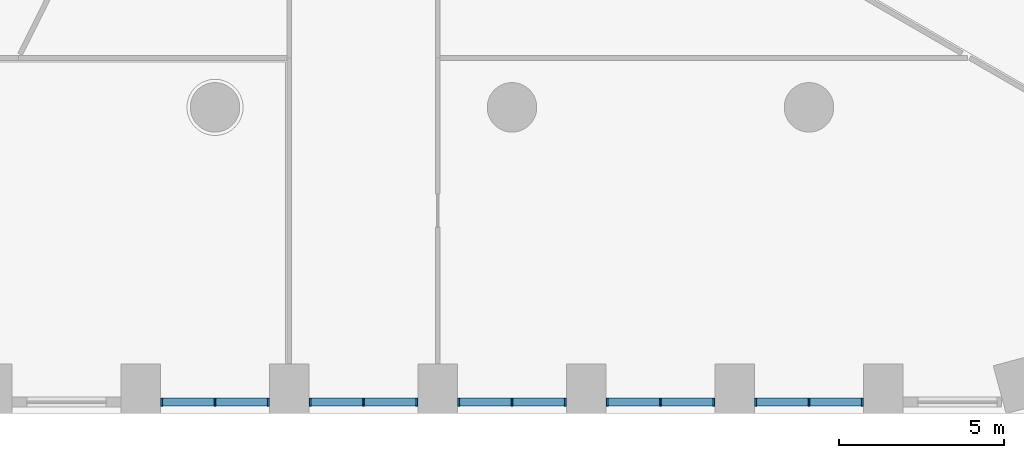
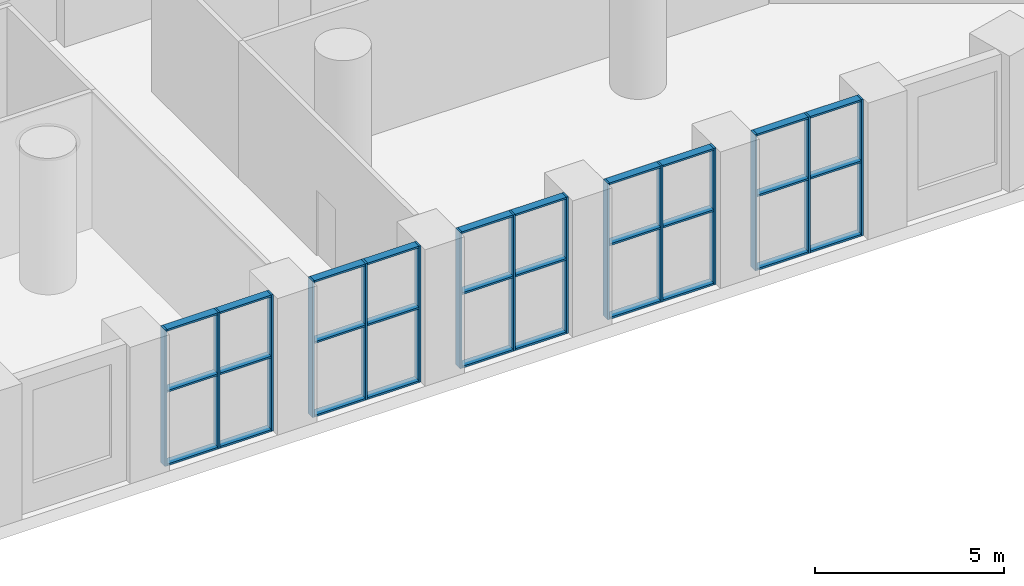
# One storey, part 2 of 21: 45 members, 5 elements without a shape of their own.
"""IFC4 building model written with IfcOpenShell, lengths in metres."""

from ifc_helpers import new_model, si_unit, direction, frame, origin, origin_2d, place, context, subcontext, project, spatial, rectangle, extrude, material, layer, layer_set, material_profile, profile_set, type_object, element, aggregate, save


model = new_model("IFC4")

# Units and contexts
model_context = context("Model", 3, precision=1e-05, world=origin(), true_north=direction((0.0, 1.0)))
body_context = subcontext(model_context, "Body", "Model", "MODEL_VIEW")
ifc_project = project(units=[si_unit("LENGTHUNIT", "METRE"), si_unit("AREAUNIT", "SQUARE_METRE"), si_unit("VOLUMEUNIT", "CUBIC_METRE"), si_unit("PLANEANGLEUNIT", "RADIAN"), si_unit("MASSUNIT", "GRAM", prefix="KILO")], contexts=[model_context])

# Site, building, storey
site_placement = place(None, origin())
site = spatial("IfcSite", under=ifc_project, at=site_placement, CompositionType="ELEMENT")
building_placement = place(site_placement, origin())
building = spatial("IfcBuilding", under=site, at=building_placement, Name="Dhurran Vertical Campus", CompositionType="ELEMENT")
storey_placement = place(building_placement, frame((0.0, 0.0, 20.39990234375)))
storey = spatial("IfcBuildingStorey", under=building, at=storey_placement, Name="L04", CompositionType="ELEMENT", Elevation=20.39990234375)

# Curtain wall, members
ifc_material_1 = material(Name="Aluminium frame with solar-control glass", Category="aluminium")
ifc_layer = layer(ifc_material_1, 0.25)
ifc_layer_set = layer_set([ifc_layer], Name="Aluminium frame with solar-control glass")
curtain_wall_type = type_object("IfcCurtainWallType", Name="Library atrium glazing system", PredefinedType="NOTDEFINED", material=ifc_layer_set)
curtain_wall_1_placement = place(storey_placement, origin())
curtain_wall_1 = element("IfcCurtainWall", 1, at=curtain_wall_1_placement, inside=storey, type_object=curtain_wall_type, Name="CW2 L04.03", PredefinedType="NOTDEFINED")
ifc_material_2 = material(Name="Aluminium mullion", Category="aluminium")
ifc_material_profile_1 = material_profile(ifc_material_2, rectangle(XDim=0.239990234375, YDim=0.06005859375, at=origin_2d()), Name="Library atrium glazing system mullion")
ifc_profile_set_1 = profile_set([ifc_material_profile_1], Name="Aluminium mullion")
member_type_1 = type_object("IfcMemberType", Name="Library atrium glazing system mullion", PredefinedType="MULLION", material=ifc_profile_set_1)
member_1_placement = place(storey_placement, frame((-6.119384765625, -31.4296875, 0.0), z_axis=(0.0, 0.0, 1.0), x_axis=(0.0, 1.0, 0.0)))
member_1 = element("IfcMember", 2, at=member_1_placement, type_object=member_type_1, Name="CW2 mullion 1", PredefinedType="MULLION", context=body_context, shape_type="SweptSolid", body=[
    extrude(rectangle(XDim=0.239990234375, YDim=0.06005859375, at=origin_2d()), origin(), (0.0, 0.0, 1.0), 4.400146484375),
])
member_2_placement = place(storey_placement, frame((-4.5, -31.4296875, 0.0), z_axis=(0.0, 0.0, 1.0), x_axis=(0.0, 1.0, 0.0)))
member_2 = element("IfcMember", 3, at=member_2_placement, type_object=member_type_1, Name="CW2 mullion 2", PredefinedType="MULLION", context=body_context, shape_type="SweptSolid", body=[
    extrude(rectangle(XDim=0.239990234375, YDim=0.06005859375, at=origin_2d()), origin(), (0.0, 0.0, 1.0), 4.400146484375),
])
member_3_placement = place(storey_placement, frame((-2.880615234375, -31.4296875, 0.0), z_axis=(0.0, 0.0, 1.0), x_axis=(0.0, 1.0, 0.0)))
member_3 = element("IfcMember", 4, at=member_3_placement, type_object=member_type_1, Name="CW2 mullion 3", PredefinedType="MULLION", context=body_context, shape_type="SweptSolid", body=[
    extrude(rectangle(XDim=0.239990234375, YDim=0.06005859375, at=origin_2d()), origin(), (0.0, 0.0, 1.0), 4.400146484375),
])

curtain_wall_2_placement = place(storey_placement, origin())
curtain_wall_2 = element("IfcCurtainWall", 5, at=curtain_wall_2_placement, inside=storey, type_object=curtain_wall_type, Name="CW2 L04.04", PredefinedType="NOTDEFINED")
member_4_placement = place(storey_placement, frame((-1.619384765625, -31.4296875, 0.0), z_axis=(0.0, 0.0, 1.0), x_axis=(0.0, 1.0, 0.0)))
member_4 = element("IfcMember", 6, at=member_4_placement, type_object=member_type_1, Name="CW2 mullion 1", PredefinedType="MULLION", context=body_context, shape_type="SweptSolid", body=[
    extrude(rectangle(XDim=0.239990234375, YDim=0.06005859375, at=origin_2d()), origin(), (0.0, 0.0, 1.0), 4.400146484375),
])
member_5_placement = place(storey_placement, frame((0.0, -31.4296875, 0.0), z_axis=(0.0, 0.0, 1.0), x_axis=(0.0, 1.0, 0.0)))
member_5 = element("IfcMember", 7, at=member_5_placement, type_object=member_type_1, Name="CW2 mullion 2", PredefinedType="MULLION", context=body_context, shape_type="SweptSolid", body=[
    extrude(rectangle(XDim=0.239990234375, YDim=0.06005859375, at=origin_2d()), origin(), (0.0, 0.0, 1.0), 4.400146484375),
])
member_6_placement = place(storey_placement, frame((1.619384765625, -31.4296875, 0.0), z_axis=(0.0, 0.0, 1.0), x_axis=(0.0, 1.0, 0.0)))
member_6 = element("IfcMember", 8, at=member_6_placement, type_object=member_type_1, Name="CW2 mullion 3", PredefinedType="MULLION", context=body_context, shape_type="SweptSolid", body=[
    extrude(rectangle(XDim=0.239990234375, YDim=0.06005859375, at=origin_2d()), origin(), (0.0, 0.0, 1.0), 4.400146484375),
])

curtain_wall_3_placement = place(storey_placement, origin())
curtain_wall_3 = element("IfcCurtainWall", 9, at=curtain_wall_3_placement, inside=storey, type_object=curtain_wall_type, Name="CW2 L04.05", PredefinedType="NOTDEFINED")
member_7_placement = place(storey_placement, frame((2.880615234375, -31.4296875, 0.0), z_axis=(0.0, 0.0, 1.0), x_axis=(0.0, 1.0, 0.0)))
member_7 = element("IfcMember", 10, at=member_7_placement, type_object=member_type_1, Name="CW2 mullion 1", PredefinedType="MULLION", context=body_context, shape_type="SweptSolid", body=[
    extrude(rectangle(XDim=0.239990234375, YDim=0.06005859375, at=origin_2d()), origin(), (0.0, 0.0, 1.0), 4.400146484375),
])
member_8_placement = place(storey_placement, frame((4.5, -31.4296875, 0.0), z_axis=(0.0, 0.0, 1.0), x_axis=(0.0, 1.0, 0.0)))
member_8 = element("IfcMember", 11, at=member_8_placement, type_object=member_type_1, Name="CW2 mullion 2", PredefinedType="MULLION", context=body_context, shape_type="SweptSolid", body=[
    extrude(rectangle(XDim=0.239990234375, YDim=0.06005859375, at=origin_2d()), origin(), (0.0, 0.0, 1.0), 4.400146484375),
])
member_9_placement = place(storey_placement, frame((6.119384765625, -31.4296875, 0.0), z_axis=(0.0, 0.0, 1.0), x_axis=(0.0, 1.0, 0.0)))
member_9 = element("IfcMember", 12, at=member_9_placement, type_object=member_type_1, Name="CW2 mullion 3", PredefinedType="MULLION", context=body_context, shape_type="SweptSolid", body=[
    extrude(rectangle(XDim=0.239990234375, YDim=0.06005859375, at=origin_2d()), origin(), (0.0, 0.0, 1.0), 4.400146484375),
])

curtain_wall_4_placement = place(storey_placement, origin())
curtain_wall_4 = element("IfcCurtainWall", 13, at=curtain_wall_4_placement, inside=storey, type_object=curtain_wall_type, Name="CW2 L04.06", PredefinedType="NOTDEFINED")
member_10_placement = place(storey_placement, frame((7.380615234375, -31.4296875, 0.0), z_axis=(0.0, 0.0, 1.0), x_axis=(0.0, 1.0, 0.0)))
member_10 = element("IfcMember", 14, at=member_10_placement, type_object=member_type_1, Name="CW2 mullion 1", PredefinedType="MULLION", context=body_context, shape_type="SweptSolid", body=[
    extrude(rectangle(XDim=0.239990234375, YDim=0.06005859375, at=origin_2d()), origin(), (0.0, 0.0, 1.0), 4.400146484375),
])
member_11_placement = place(storey_placement, frame((9.0, -31.4296875, 0.0), z_axis=(0.0, 0.0, 1.0), x_axis=(0.0, 1.0, 0.0)))
member_11 = element("IfcMember", 15, at=member_11_placement, type_object=member_type_1, Name="CW2 mullion 2", PredefinedType="MULLION", context=body_context, shape_type="SweptSolid", body=[
    extrude(rectangle(XDim=0.239990234375, YDim=0.06005859375, at=origin_2d()), origin(), (0.0, 0.0, 1.0), 4.400146484375),
])
member_12_placement = place(storey_placement, frame((10.619384765625, -31.4296875, 0.0), z_axis=(0.0, 0.0, 1.0), x_axis=(0.0, 1.0, 0.0)))
member_12 = element("IfcMember", 16, at=member_12_placement, type_object=member_type_1, Name="CW2 mullion 3", PredefinedType="MULLION", context=body_context, shape_type="SweptSolid", body=[
    extrude(rectangle(XDim=0.239990234375, YDim=0.06005859375, at=origin_2d()), origin(), (0.0, 0.0, 1.0), 4.400146484375),
])

curtain_wall_5_placement = place(storey_placement, origin())
curtain_wall_5 = element("IfcCurtainWall", 17, at=curtain_wall_5_placement, inside=storey, type_object=curtain_wall_type, Name="CW2 L04.07", PredefinedType="NOTDEFINED")
member_13_placement = place(storey_placement, frame((11.880615234375, -31.4296875, 0.0), z_axis=(0.0, 0.0, 1.0), x_axis=(0.0, 1.0, 0.0)))
member_13 = element("IfcMember", 18, at=member_13_placement, type_object=member_type_1, Name="CW2 mullion 1", PredefinedType="MULLION", context=body_context, shape_type="SweptSolid", body=[
    extrude(rectangle(XDim=0.239990234375, YDim=0.06005859375, at=origin_2d()), origin(), (0.0, 0.0, 1.0), 4.400146484375),
])
member_14_placement = place(storey_placement, frame((13.5, -31.4296875, 0.0), z_axis=(0.0, 0.0, 1.0), x_axis=(0.0, 1.0, 0.0)))
member_14 = element("IfcMember", 19, at=member_14_placement, type_object=member_type_1, Name="CW2 mullion 2", PredefinedType="MULLION", context=body_context, shape_type="SweptSolid", body=[
    extrude(rectangle(XDim=0.239990234375, YDim=0.06005859375, at=origin_2d()), origin(), (0.0, 0.0, 1.0), 4.400146484375),
])
member_15_placement = place(storey_placement, frame((15.119384765625, -31.4296875, 0.0), z_axis=(0.0, 0.0, 1.0), x_axis=(0.0, 1.0, 0.0)))
member_15 = element("IfcMember", 20, at=member_15_placement, type_object=member_type_1, Name="CW2 mullion 3", PredefinedType="MULLION", context=body_context, shape_type="SweptSolid", body=[
    extrude(rectangle(XDim=0.239990234375, YDim=0.06005859375, at=origin_2d()), origin(), (0.0, 0.0, 1.0), 4.400146484375),
])

# Member
ifc_material_3 = material(Name="Aluminium transom", Category="aluminium")
ifc_material_profile_2 = material_profile(ifc_material_3, rectangle(XDim=0.239990234375, YDim=0.06005859375, at=origin_2d()), Name="Library atrium glazing system transom")
ifc_profile_set_2 = profile_set([ifc_material_profile_2], Name="Aluminium transom")
member_type_2 = type_object("IfcMemberType", Name="Library atrium glazing system transom", PredefinedType="USERDEFINED", material=ifc_profile_set_2)
member_16_placement = place(storey_placement, frame((-6.089599609375, -31.4296875, 0.030029296875), z_axis=(1.0, 0.0, 0.0), x_axis=(0.0, 1.0, 0.0)))
member_16 = element("IfcMember", 21, at=member_16_placement, type_object=member_type_2, Name="CW2 transom 1.1", ObjectType="TRANSOM", PredefinedType="USERDEFINED", context=body_context, shape_type="SweptSolid", body=[
    extrude(rectangle(XDim=0.239990234375, YDim=0.06005859375, at=origin_2d()), origin(), (0.0, 0.0, 1.0), 1.5595703125),
])

member_17_placement = place(storey_placement, frame((-6.089599609375, -31.4296875, 2.400146484375), z_axis=(1.0, 0.0, 0.0), x_axis=(0.0, 1.0, 0.0)))
member_17 = element("IfcMember", 22, at=member_17_placement, type_object=member_type_2, Name="CW2 transom 1.2", ObjectType="TRANSOM", PredefinedType="USERDEFINED", context=body_context, shape_type="SweptSolid", body=[
    extrude(rectangle(XDim=0.239990234375, YDim=0.06005859375, at=origin_2d()), origin(), (0.0, 0.0, 1.0), 1.5595703125),
])

member_18_placement = place(storey_placement, frame((-6.089599609375, -31.4296875, 4.3701171875), z_axis=(1.0, 0.0, 0.0), x_axis=(0.0, 1.0, 0.0)))
member_18 = element("IfcMember", 23, at=member_18_placement, type_object=member_type_2, Name="CW2 transom 1.3", ObjectType="TRANSOM", PredefinedType="USERDEFINED", context=body_context, shape_type="SweptSolid", body=[
    extrude(rectangle(XDim=0.239990234375, YDim=0.06005859375, at=origin_2d()), origin(), (0.0, 0.0, 1.0), 1.5595703125),
])

member_19_placement = place(storey_placement, frame((-4.469970703125, -31.4296875, 0.030029296875), z_axis=(1.0, 0.0, 0.0), x_axis=(0.0, 1.0, 0.0)))
member_19 = element("IfcMember", 24, at=member_19_placement, type_object=member_type_2, Name="CW2 transom 2.1", ObjectType="TRANSOM", PredefinedType="USERDEFINED", context=body_context, shape_type="SweptSolid", body=[
    extrude(rectangle(XDim=0.239990234375, YDim=0.06005859375, at=origin_2d()), origin(), (0.0, 0.0, 1.0), 1.5595703125),
])

member_20_placement = place(storey_placement, frame((-4.469970703125, -31.4296875, 2.400146484375), z_axis=(1.0, 0.0, 0.0), x_axis=(0.0, 1.0, 0.0)))
member_20 = element("IfcMember", 25, at=member_20_placement, type_object=member_type_2, Name="CW2 transom 2.2", ObjectType="TRANSOM", PredefinedType="USERDEFINED", context=body_context, shape_type="SweptSolid", body=[
    extrude(rectangle(XDim=0.239990234375, YDim=0.06005859375, at=origin_2d()), origin(), (0.0, 0.0, 1.0), 1.5595703125),
])

member_21_placement = place(storey_placement, frame((-4.469970703125, -31.4296875, 4.3701171875), z_axis=(1.0, 0.0, 0.0), x_axis=(0.0, 1.0, 0.0)))
member_21 = element("IfcMember", 26, at=member_21_placement, type_object=member_type_2, Name="CW2 transom 2.3", ObjectType="TRANSOM", PredefinedType="USERDEFINED", context=body_context, shape_type="SweptSolid", body=[
    extrude(rectangle(XDim=0.239990234375, YDim=0.06005859375, at=origin_2d()), origin(), (0.0, 0.0, 1.0), 1.5595703125),
])

aggregate(curtain_wall_1, [member_1, member_2, member_3, member_16, member_17, member_18, member_19, member_20, member_21])

member_22_placement = place(storey_placement, frame((-1.589599609375, -31.4296875, 0.030029296875), z_axis=(1.0, 0.0, 0.0), x_axis=(0.0, 1.0, 0.0)))
member_22 = element("IfcMember", 27, at=member_22_placement, type_object=member_type_2, Name="CW2 transom 1.1", ObjectType="TRANSOM", PredefinedType="USERDEFINED", context=body_context, shape_type="SweptSolid", body=[
    extrude(rectangle(XDim=0.239990234375, YDim=0.06005859375, at=origin_2d()), origin(), (0.0, 0.0, 1.0), 1.5595703125),
])

member_23_placement = place(storey_placement, frame((-1.589599609375, -31.4296875, 2.400146484375), z_axis=(1.0, 0.0, 0.0), x_axis=(0.0, 1.0, 0.0)))
member_23 = element("IfcMember", 28, at=member_23_placement, type_object=member_type_2, Name="CW2 transom 1.2", ObjectType="TRANSOM", PredefinedType="USERDEFINED", context=body_context, shape_type="SweptSolid", body=[
    extrude(rectangle(XDim=0.239990234375, YDim=0.06005859375, at=origin_2d()), origin(), (0.0, 0.0, 1.0), 1.5595703125),
])

member_24_placement = place(storey_placement, frame((-1.589599609375, -31.4296875, 4.3701171875), z_axis=(1.0, 0.0, 0.0), x_axis=(0.0, 1.0, 0.0)))
member_24 = element("IfcMember", 29, at=member_24_placement, type_object=member_type_2, Name="CW2 transom 1.3", ObjectType="TRANSOM", PredefinedType="USERDEFINED", context=body_context, shape_type="SweptSolid", body=[
    extrude(rectangle(XDim=0.239990234375, YDim=0.06005859375, at=origin_2d()), origin(), (0.0, 0.0, 1.0), 1.5595703125),
])

member_25_placement = place(storey_placement, frame((0.030029296875, -31.4296875, 0.030029296875), z_axis=(1.0, 0.0, 0.0), x_axis=(0.0, 1.0, 0.0)))
member_25 = element("IfcMember", 30, at=member_25_placement, type_object=member_type_2, Name="CW2 transom 2.1", ObjectType="TRANSOM", PredefinedType="USERDEFINED", context=body_context, shape_type="SweptSolid", body=[
    extrude(rectangle(XDim=0.239990234375, YDim=0.06005859375, at=origin_2d()), origin(), (0.0, 0.0, 1.0), 1.5595703125),
])

member_26_placement = place(storey_placement, frame((0.030029296875, -31.4296875, 2.400146484375), z_axis=(1.0, 0.0, 0.0), x_axis=(0.0, 1.0, 0.0)))
member_26 = element("IfcMember", 31, at=member_26_placement, type_object=member_type_2, Name="CW2 transom 2.2", ObjectType="TRANSOM", PredefinedType="USERDEFINED", context=body_context, shape_type="SweptSolid", body=[
    extrude(rectangle(XDim=0.239990234375, YDim=0.06005859375, at=origin_2d()), origin(), (0.0, 0.0, 1.0), 1.5595703125),
])

member_27_placement = place(storey_placement, frame((0.030029296875, -31.4296875, 4.3701171875), z_axis=(1.0, 0.0, 0.0), x_axis=(0.0, 1.0, 0.0)))
member_27 = element("IfcMember", 32, at=member_27_placement, type_object=member_type_2, Name="CW2 transom 2.3", ObjectType="TRANSOM", PredefinedType="USERDEFINED", context=body_context, shape_type="SweptSolid", body=[
    extrude(rectangle(XDim=0.239990234375, YDim=0.06005859375, at=origin_2d()), origin(), (0.0, 0.0, 1.0), 1.5595703125),
])

aggregate(curtain_wall_2, [member_4, member_5, member_6, member_22, member_23, member_24, member_25, member_26, member_27])

member_28_placement = place(storey_placement, frame((2.910400390625, -31.4296875, 0.030029296875), z_axis=(1.0, 0.0, 0.0), x_axis=(0.0, 1.0, 0.0)))
member_28 = element("IfcMember", 33, at=member_28_placement, type_object=member_type_2, Name="CW2 transom 1.1", ObjectType="TRANSOM", PredefinedType="USERDEFINED", context=body_context, shape_type="SweptSolid", body=[
    extrude(rectangle(XDim=0.239990234375, YDim=0.06005859375, at=origin_2d()), origin(), (0.0, 0.0, 1.0), 1.5595703125),
])

member_29_placement = place(storey_placement, frame((2.910400390625, -31.4296875, 2.400146484375), z_axis=(1.0, 0.0, 0.0), x_axis=(0.0, 1.0, 0.0)))
member_29 = element("IfcMember", 34, at=member_29_placement, type_object=member_type_2, Name="CW2 transom 1.2", ObjectType="TRANSOM", PredefinedType="USERDEFINED", context=body_context, shape_type="SweptSolid", body=[
    extrude(rectangle(XDim=0.239990234375, YDim=0.06005859375, at=origin_2d()), origin(), (0.0, 0.0, 1.0), 1.5595703125),
])

member_30_placement = place(storey_placement, frame((2.910400390625, -31.4296875, 4.3701171875), z_axis=(1.0, 0.0, 0.0), x_axis=(0.0, 1.0, 0.0)))
member_30 = element("IfcMember", 35, at=member_30_placement, type_object=member_type_2, Name="CW2 transom 1.3", ObjectType="TRANSOM", PredefinedType="USERDEFINED", context=body_context, shape_type="SweptSolid", body=[
    extrude(rectangle(XDim=0.239990234375, YDim=0.06005859375, at=origin_2d()), origin(), (0.0, 0.0, 1.0), 1.5595703125),
])

member_31_placement = place(storey_placement, frame((4.530029296875, -31.4296875, 0.030029296875), z_axis=(1.0, 0.0, 0.0), x_axis=(0.0, 1.0, 0.0)))
member_31 = element("IfcMember", 36, at=member_31_placement, type_object=member_type_2, Name="CW2 transom 2.1", ObjectType="TRANSOM", PredefinedType="USERDEFINED", context=body_context, shape_type="SweptSolid", body=[
    extrude(rectangle(XDim=0.239990234375, YDim=0.06005859375, at=origin_2d()), origin(), (0.0, 0.0, 1.0), 1.5595703125),
])

member_32_placement = place(storey_placement, frame((4.530029296875, -31.4296875, 2.400146484375), z_axis=(1.0, 0.0, 0.0), x_axis=(0.0, 1.0, 0.0)))
member_32 = element("IfcMember", 37, at=member_32_placement, type_object=member_type_2, Name="CW2 transom 2.2", ObjectType="TRANSOM", PredefinedType="USERDEFINED", context=body_context, shape_type="SweptSolid", body=[
    extrude(rectangle(XDim=0.239990234375, YDim=0.06005859375, at=origin_2d()), origin(), (0.0, 0.0, 1.0), 1.5595703125),
])

member_33_placement = place(storey_placement, frame((4.530029296875, -31.4296875, 4.3701171875), z_axis=(1.0, 0.0, 0.0), x_axis=(0.0, 1.0, 0.0)))
member_33 = element("IfcMember", 38, at=member_33_placement, type_object=member_type_2, Name="CW2 transom 2.3", ObjectType="TRANSOM", PredefinedType="USERDEFINED", context=body_context, shape_type="SweptSolid", body=[
    extrude(rectangle(XDim=0.239990234375, YDim=0.06005859375, at=origin_2d()), origin(), (0.0, 0.0, 1.0), 1.5595703125),
])

aggregate(curtain_wall_3, [member_7, member_8, member_9, member_28, member_29, member_30, member_31, member_32, member_33])

member_34_placement = place(storey_placement, frame((7.410400390625, -31.4296875, 0.030029296875), z_axis=(1.0, 0.0, 0.0), x_axis=(0.0, 1.0, 0.0)))
member_34 = element("IfcMember", 39, at=member_34_placement, type_object=member_type_2, Name="CW2 transom 1.1", ObjectType="TRANSOM", PredefinedType="USERDEFINED", context=body_context, shape_type="SweptSolid", body=[
    extrude(rectangle(XDim=0.239990234375, YDim=0.06005859375, at=origin_2d()), origin(), (0.0, 0.0, 1.0), 1.5595703125),
])

member_35_placement = place(storey_placement, frame((7.410400390625, -31.4296875, 2.400146484375), z_axis=(1.0, 0.0, 0.0), x_axis=(0.0, 1.0, 0.0)))
member_35 = element("IfcMember", 40, at=member_35_placement, type_object=member_type_2, Name="CW2 transom 1.2", ObjectType="TRANSOM", PredefinedType="USERDEFINED", context=body_context, shape_type="SweptSolid", body=[
    extrude(rectangle(XDim=0.239990234375, YDim=0.06005859375, at=origin_2d()), origin(), (0.0, 0.0, 1.0), 1.5595703125),
])

member_36_placement = place(storey_placement, frame((7.410400390625, -31.4296875, 4.3701171875), z_axis=(1.0, 0.0, 0.0), x_axis=(0.0, 1.0, 0.0)))
member_36 = element("IfcMember", 41, at=member_36_placement, type_object=member_type_2, Name="CW2 transom 1.3", ObjectType="TRANSOM", PredefinedType="USERDEFINED", context=body_context, shape_type="SweptSolid", body=[
    extrude(rectangle(XDim=0.239990234375, YDim=0.06005859375, at=origin_2d()), origin(), (0.0, 0.0, 1.0), 1.5595703125),
])

member_37_placement = place(storey_placement, frame((9.030029296875, -31.4296875, 0.030029296875), z_axis=(1.0, 0.0, 0.0), x_axis=(0.0, 1.0, 0.0)))
member_37 = element("IfcMember", 42, at=member_37_placement, type_object=member_type_2, Name="CW2 transom 2.1", ObjectType="TRANSOM", PredefinedType="USERDEFINED", context=body_context, shape_type="SweptSolid", body=[
    extrude(rectangle(XDim=0.239990234375, YDim=0.06005859375, at=origin_2d()), origin(), (0.0, 0.0, 1.0), 1.5595703125),
])

member_38_placement = place(storey_placement, frame((9.030029296875, -31.4296875, 2.400146484375), z_axis=(1.0, 0.0, 0.0), x_axis=(0.0, 1.0, 0.0)))
member_38 = element("IfcMember", 43, at=member_38_placement, type_object=member_type_2, Name="CW2 transom 2.2", ObjectType="TRANSOM", PredefinedType="USERDEFINED", context=body_context, shape_type="SweptSolid", body=[
    extrude(rectangle(XDim=0.239990234375, YDim=0.06005859375, at=origin_2d()), origin(), (0.0, 0.0, 1.0), 1.5595703125),
])

member_39_placement = place(storey_placement, frame((9.030029296875, -31.4296875, 4.3701171875), z_axis=(1.0, 0.0, 0.0), x_axis=(0.0, 1.0, 0.0)))
member_39 = element("IfcMember", 44, at=member_39_placement, type_object=member_type_2, Name="CW2 transom 2.3", ObjectType="TRANSOM", PredefinedType="USERDEFINED", context=body_context, shape_type="SweptSolid", body=[
    extrude(rectangle(XDim=0.239990234375, YDim=0.06005859375, at=origin_2d()), origin(), (0.0, 0.0, 1.0), 1.5595703125),
])

aggregate(curtain_wall_4, [member_10, member_11, member_12, member_34, member_35, member_36, member_37, member_38, member_39])

member_40_placement = place(storey_placement, frame((11.910400390625, -31.4296875, 0.030029296875), z_axis=(1.0, 0.0, 0.0), x_axis=(0.0, 1.0, 0.0)))
member_40 = element("IfcMember", 45, at=member_40_placement, type_object=member_type_2, Name="CW2 transom 1.1", ObjectType="TRANSOM", PredefinedType="USERDEFINED", context=body_context, shape_type="SweptSolid", body=[
    extrude(rectangle(XDim=0.239990234375, YDim=0.06005859375, at=origin_2d()), origin(), (0.0, 0.0, 1.0), 1.5595703125),
])

member_41_placement = place(storey_placement, frame((11.910400390625, -31.4296875, 2.400146484375), z_axis=(1.0, 0.0, 0.0), x_axis=(0.0, 1.0, 0.0)))
member_41 = element("IfcMember", 46, at=member_41_placement, type_object=member_type_2, Name="CW2 transom 1.2", ObjectType="TRANSOM", PredefinedType="USERDEFINED", context=body_context, shape_type="SweptSolid", body=[
    extrude(rectangle(XDim=0.239990234375, YDim=0.06005859375, at=origin_2d()), origin(), (0.0, 0.0, 1.0), 1.5595703125),
])

member_42_placement = place(storey_placement, frame((11.910400390625, -31.4296875, 4.3701171875), z_axis=(1.0, 0.0, 0.0), x_axis=(0.0, 1.0, 0.0)))
member_42 = element("IfcMember", 47, at=member_42_placement, type_object=member_type_2, Name="CW2 transom 1.3", ObjectType="TRANSOM", PredefinedType="USERDEFINED", context=body_context, shape_type="SweptSolid", body=[
    extrude(rectangle(XDim=0.239990234375, YDim=0.06005859375, at=origin_2d()), origin(), (0.0, 0.0, 1.0), 1.5595703125),
])

member_43_placement = place(storey_placement, frame((13.530029296875, -31.4296875, 0.030029296875), z_axis=(1.0, 0.0, 0.0), x_axis=(0.0, 1.0, 0.0)))
member_43 = element("IfcMember", 48, at=member_43_placement, type_object=member_type_2, Name="CW2 transom 2.1", ObjectType="TRANSOM", PredefinedType="USERDEFINED", context=body_context, shape_type="SweptSolid", body=[
    extrude(rectangle(XDim=0.239990234375, YDim=0.06005859375, at=origin_2d()), origin(), (0.0, 0.0, 1.0), 1.5595703125),
])

member_44_placement = place(storey_placement, frame((13.530029296875, -31.4296875, 2.400146484375), z_axis=(1.0, 0.0, 0.0), x_axis=(0.0, 1.0, 0.0)))
member_44 = element("IfcMember", 49, at=member_44_placement, type_object=member_type_2, Name="CW2 transom 2.2", ObjectType="TRANSOM", PredefinedType="USERDEFINED", context=body_context, shape_type="SweptSolid", body=[
    extrude(rectangle(XDim=0.239990234375, YDim=0.06005859375, at=origin_2d()), origin(), (0.0, 0.0, 1.0), 1.5595703125),
])

member_45_placement = place(storey_placement, frame((13.530029296875, -31.4296875, 4.3701171875), z_axis=(1.0, 0.0, 0.0), x_axis=(0.0, 1.0, 0.0)))
member_45 = element("IfcMember", 50, at=member_45_placement, type_object=member_type_2, Name="CW2 transom 2.3", ObjectType="TRANSOM", PredefinedType="USERDEFINED", context=body_context, shape_type="SweptSolid", body=[
    extrude(rectangle(XDim=0.239990234375, YDim=0.06005859375, at=origin_2d()), origin(), (0.0, 0.0, 1.0), 1.5595703125),
])

aggregate(curtain_wall_5, [member_13, member_14, member_15, member_40, member_41, member_42, member_43, member_44, member_45])

save(model, "model.ifc")
